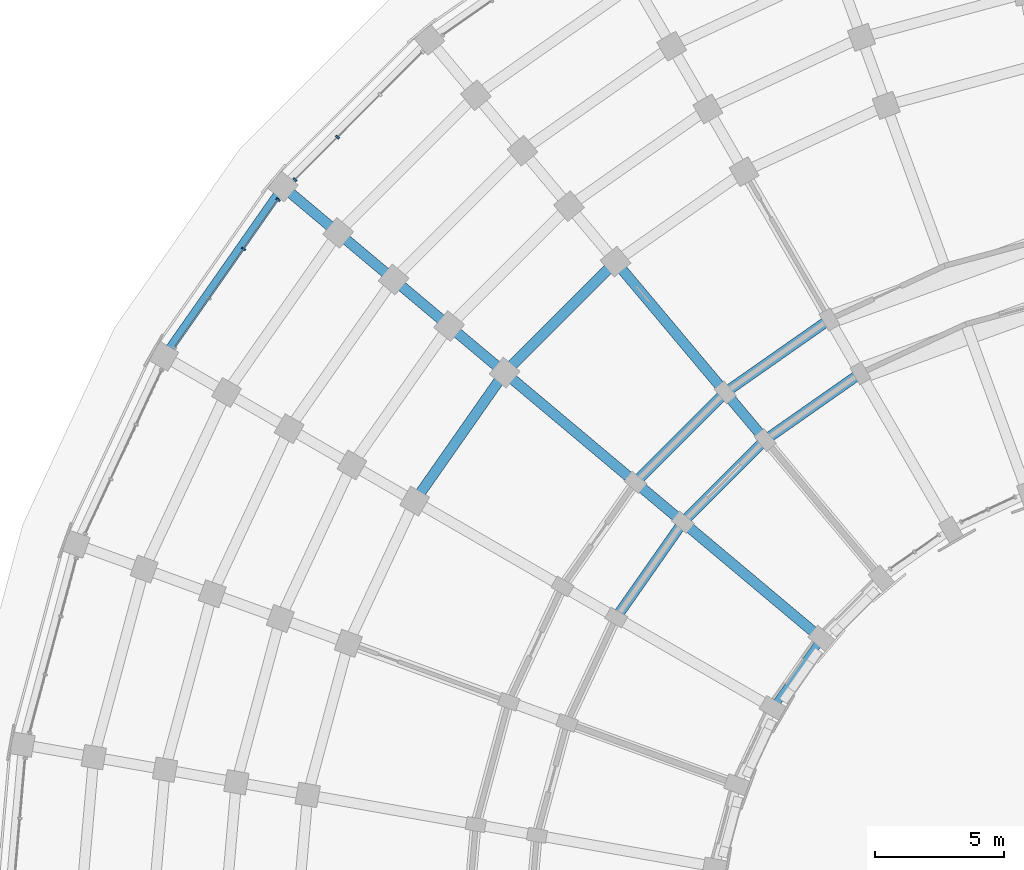
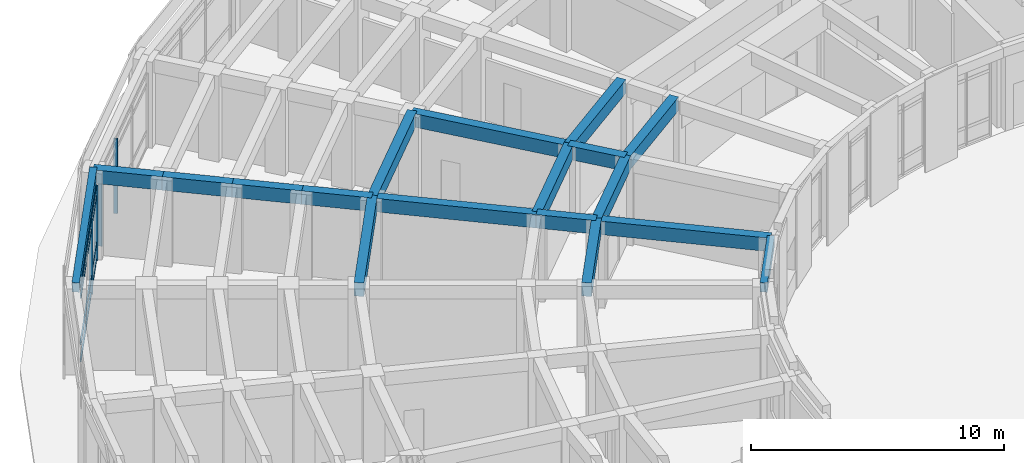
# One storey, part 38 of 135: 18 beams, 8 members, 2 elements without a shape of their own.
"""IFC4 building model written with IfcOpenShell, lengths in metres."""

import ifcopenshell
import ifcopenshell.guid

model = None  # the IFC model being written
_history = None  # IfcOwnerHistory: only IFC2X3 demands one
_inside = {}  # id of a spatial element -> (the spatial element, [elements in it])
_under = {}  # id of a project, library or spatial element -> (it, [spatial elements below it])
_declared = {}  # id of a project -> (the project, [libraries it declares])
_typed = {}  # id of a type object -> (the type object, [elements of that type])
_made_of = {}  # id of a material, layer set ... -> (it, [elements and type objects made of it])


def new_model(schema):
    """Start an empty IFC model of exactly this schema.

    Asked for "IFC4X3", IfcOpenShell would pick the latest addendum, in which some entities
    have other attributes; the version numbers below select the first issue.
    IFC2X3 requires an IfcOwnerHistory on every rooted entity: one is made here for all.
    """
    global model, _history
    if schema == "IFC4X3":
        model = ifcopenshell.file(schema_version=(4, 3, 0, 0))
    else:
        model = ifcopenshell.file(schema=schema)
    _inside.clear()
    _under.clear()
    _declared.clear()
    _typed.clear()
    _made_of.clear()
    _history = None
    if model.schema == "IFC2X3":
        org = make("IfcOrganization", Name="unknown")
        user = make(
            "IfcPersonAndOrganization",
            ThePerson=make("IfcPerson", FamilyName="unknown"),
            TheOrganization=org,
        )
        app = make(
            "IfcApplication",
            ApplicationDeveloper=org,
            Version="unknown",
            ApplicationFullName="unknown",
            ApplicationIdentifier="unknown",
        )
        _history = make(
            "IfcOwnerHistory",
            OwningUser=user,
            OwningApplication=app,
            ChangeAction="ADDED",
            CreationDate=0,
        )
    return model


def make(cls, **values):
    """One entity of the class cls with the attributes given. An attribute that is None is left unset."""
    return model.create_entity(
        cls, **{name: value for name, value in values.items() if value is not None}
    )


def rooted(cls, **values):
    """An entity with a GlobalId (a new one), such as an element, a storey or a relation."""
    return make(cls, GlobalId=ifcopenshell.guid.new(), OwnerHistory=_history, **values)


def si_unit(unit_type, name, prefix=None):
    """IfcSIUnit, for example si_unit("LENGTHUNIT", "METRE", prefix="MILLI")."""
    return make("IfcSIUnit", UnitType=unit_type, Prefix=prefix, Name=name)


def assignment(units):
    """IfcUnitAssignment: the units of a project."""
    return None if units is None else make("IfcUnitAssignment", Units=units)


def point(xyz):
    """IfcCartesianPoint."""
    return None if xyz is None else make("IfcCartesianPoint", Coordinates=xyz)


def direction(xyz):
    """IfcDirection."""
    return None if xyz is None else make("IfcDirection", DirectionRatios=xyz)


def frame(location, z_axis=None, x_axis=None):
    """IfcAxis2Placement3D, a coordinate frame: its origin and axes. An axis left out is left unset."""
    return make(
        "IfcAxis2Placement3D",
        Location=point(location),
        Axis=direction(z_axis),
        RefDirection=direction(x_axis),
    )


def frame_2d(location, x_axis=None):
    """IfcAxis2Placement2D, a coordinate frame in the plane: its origin and x axis."""
    return make(
        "IfcAxis2Placement2D", Location=point(location), RefDirection=direction(x_axis)
    )


def origin():
    """The frame at (0, 0, 0) with its axes left unset."""
    return frame((0.0, 0.0, 0.0))


def origin_2d():
    """The frame at (0, 0) in the plane with its x axis left unset."""
    return frame_2d((0.0, 0.0))


def place(relative_to, where):
    """IfcLocalPlacement: puts the frame where relative to a parent placement (None: the world)."""
    return make(
        "IfcLocalPlacement", PlacementRelTo=relative_to, RelativePlacement=where
    )


def context(
    kind, dimensions, precision=None, world=None, true_north=None, identifier=None
):
    """IfcGeometricRepresentationContext, for example the 3D "Model" context."""
    return make(
        "IfcGeometricRepresentationContext",
        ContextIdentifier=identifier,
        ContextType=kind,
        CoordinateSpaceDimension=dimensions,
        Precision=precision,
        WorldCoordinateSystem=world,
        TrueNorth=true_north,
    )


def subcontext(parent, identifier, kind, view, scale=None):
    """IfcGeometricRepresentationSubContext, for example "Body" below "Model"."""
    return make(
        "IfcGeometricRepresentationSubContext",
        ContextIdentifier=identifier,
        ContextType=kind,
        ParentContext=parent,
        TargetScale=scale,
        TargetView=view,
    )


def project(units=None, contexts=None):
    """IfcProject with its units and contexts."""
    return rooted(
        "IfcProject",
        Name="project",
        RepresentationContexts=contexts,
        UnitsInContext=assignment(units),
    )


def spatial(cls, under=None, at=None, **own):
    """A site, building, storey or space (cls), placed at a placement, below another one or the project."""
    s = rooted(cls, ObjectPlacement=at, **own)
    if under is not None:
        _under.setdefault(under.id(), (under, []))[1].append(s)
    return s


def profile(cls, at=None, kind="AREA", **sizes):
    """A parametric profile (cls). Its sizes go by their IFC names, for example OverallWidth=200.0."""
    return make(cls, ProfileType=kind, Position=at, **sizes)


def rectangle(**sizes):
    """IfcRectangleProfileDef."""
    return profile("IfcRectangleProfileDef", **sizes)


def extrude(swept, where, along, depth):
    """IfcExtrudedAreaSolid: the profile swept, set in the frame where, extruded along a direction by depth."""
    return make(
        "IfcExtrudedAreaSolid",
        SweptArea=swept,
        Position=where,
        ExtrudedDirection=direction(along),
        Depth=depth,
    )


def shape(context_of_items, identifier, shape_type, items):
    """IfcShapeRepresentation: the items that make up one representation, for example the "Body"."""
    return make(
        "IfcShapeRepresentation",
        ContextOfItems=context_of_items,
        RepresentationIdentifier=identifier,
        RepresentationType=shape_type,
        Items=items,
    )


def material(Name=None, Category=None):
    """IfcMaterial."""
    return make("IfcMaterial", Name=Name, Category=Category)


def material_profile(
    of_material, cross_section, Name=None, Category=None, Priority=None
):
    """IfcMaterialProfile: a cross section and its material."""
    return make(
        "IfcMaterialProfile",
        Name=Name,
        Material=of_material,
        Profile=cross_section,
        Priority=Priority,
        Category=Category,
    )


def profile_set(profiles, Name=None, composite=None):
    """IfcMaterialProfileSet."""
    return make(
        "IfcMaterialProfileSet",
        Name=Name,
        MaterialProfiles=profiles,
        CompositeProfile=composite,
    )


def made_of(thing, what):
    """Note that an element or type object is made of a material, layer set ...; save() writes the relation."""
    if what is not None:
        _made_of.setdefault(what.id(), (what, []))[1].append(thing)
    return thing


def type_object(cls, material=None, **own):
    """A type object (cls), such as IfcWallType, which elements share."""
    return made_of(rooted(cls, **own), material)


def element(
    cls,
    number,
    at=None,
    inside=None,
    cuts=None,
    type_object=None,
    material=None,
    context=None,
    identifier="Body",
    shape_type=None,
    held_by="IfcProductDefinitionShape",
    body=None,
    shapes=None,
    **own,
):
    """One element of the class cls, such as IfcWall. Its Tag is "e" and its number.

    at: its placement. inside: the storey or other place that contains it. cuts: it is an
    opening in that element (IfcRelVoidsElement). A single representation is given by context,
    identifier, shape_type and body (its items); several are given by shapes. held_by: the class
    of the entity that holds the representations. save() writes the other relations.
    """
    e = rooted(cls, Tag="e%d" % number, ObjectPlacement=at, **own)
    if body is not None:
        shapes = [shape(context, identifier, shape_type, body)]
    if shapes is not None:
        e.Representation = make(held_by, Representations=shapes)
    if inside is not None:
        _inside.setdefault(inside.id(), (inside, []))[1].append(e)
    if cuts is not None:
        rooted(
            "IfcRelVoidsElement", RelatingBuildingElement=cuts, RelatedOpeningElement=e
        )
    if type_object is not None:
        _typed.setdefault(type_object.id(), (type_object, []))[1].append(e)
    return made_of(e, material)


def aggregate(whole, parts):
    """IfcRelAggregates: a whole, such as a stair, and the parts it consists of."""
    return rooted("IfcRelAggregates", RelatingObject=whole, RelatedObjects=parts)


def save(model, path):
    """Write the relations noted so far, then the file.

    IfcRelAggregates (storeys below a building ...), IfcRelContainedInSpatialStructure (elements
    in a storey), IfcRelDefinesByType, IfcRelAssociatesMaterial and IfcRelDeclares: one each for
    every whole, place, type object, material and project.
    """
    for whole, parts in _under.values():
        aggregate(whole, parts)
    for where, things in _inside.values():
        rooted(
            "IfcRelContainedInSpatialStructure",
            RelatedElements=things,
            RelatingStructure=where,
        )
    for kind, things in _typed.values():
        rooted("IfcRelDefinesByType", RelatedObjects=things, RelatingType=kind)
    for what, things in _made_of.values():
        rooted("IfcRelAssociatesMaterial", RelatedObjects=things, RelatingMaterial=what)
    for by, libraries in _declared.values():
        rooted("IfcRelDeclares", RelatingContext=by, RelatedDefinitions=libraries)
    model.write(path)


model = new_model("IFC4")

# Units and contexts
model_context = context("Model", 3, precision=1e-05, world=origin(), true_north=direction((0.0, 1.0)))
body_context = subcontext(model_context, "Body", "Model", "MODEL_VIEW")
ifc_project = project(units=[si_unit("LENGTHUNIT", "METRE"), si_unit("AREAUNIT", "SQUARE_METRE"), si_unit("VOLUMEUNIT", "CUBIC_METRE"), si_unit("PLANEANGLEUNIT", "RADIAN"), si_unit("MASSUNIT", "GRAM", prefix="KILO")], contexts=[model_context])

# Site, building, storey
site_placement = place(None, origin())
site = spatial("IfcSite", under=ifc_project, at=site_placement, CompositionType="ELEMENT")
building_placement = place(site_placement, origin())
building = spatial("IfcBuilding", under=site, at=building_placement, Name="Kiranvali Square Residences", CompositionType="ELEMENT")
storey_placement = place(building_placement, origin())
storey = spatial("IfcBuildingStorey", under=building, at=storey_placement, Name="L00", CompositionType="ELEMENT", Elevation=0.0)

# Beams
ifc_material_1 = material(Name="Concrete M45 (45 MPa)", Category="concrete")
ifc_material_profile_1 = material_profile(ifc_material_1, rectangle(XDim=0.39990234375, YDim=0.64990234375, at=origin_2d()), Name="RC 400x650")
ifc_profile_set_1 = profile_set([ifc_material_profile_1], Name="Concrete M45 (45 MPa)")
beam_type_1 = type_object("IfcBeamType", Name="BM-M45-400x650", PredefinedType="BEAM", material=ifc_profile_set_1)
beam_1_placement = place(storey_placement, frame((35.300048828125, 110.1435546875, 3.824951171875), z_axis=(-0.819155404658, -0.573571637217, 0.0), x_axis=(0.573571637217, -0.819155404658, 0.0)))
element("IfcBeam", 1, at=beam_1_placement, inside=storey, type_object=beam_type_1, Name="L00 beam BM-A-L00-C03-R1", PredefinedType="BEAM", context=body_context, shape_type="SweptSolid", body=[
    extrude(rectangle(XDim=0.39990234375, YDim=0.64990234375, at=origin_2d()), origin(), (0.0, 0.0, 1.0), 4.497314453125),
])
beam_2_placement = place(storey_placement, frame((34.10009765625, 112.221923828125, 3.824951171875), z_axis=(-0.819140911474, -0.573592335331, 0.0), x_axis=(0.573592335331, -0.819140911474, 0.0)))
element("IfcBeam", 2, at=beam_2_placement, inside=storey, type_object=beam_type_1, Name="L00 beam BM-A-L00-C03-R2", PredefinedType="BEAM", context=body_context, shape_type="SweptSolid", body=[
    extrude(rectangle(XDim=0.39990234375, YDim=0.64990234375, at=origin_2d()), origin(), (0.0, 0.0, 1.0), 4.915771484375),
])
beam_3_placement = place(storey_placement, frame((31.615966796875, 107.56396484375, 3.824951171875), z_axis=(-0.707106781187, -0.707106781187, 0.0), x_axis=(0.707106781187, -0.707106781187, 0.0)))
element("IfcBeam", 3, at=beam_3_placement, inside=storey, type_object=beam_type_1, Name="L00 beam BM-A-L00-C04-R1", PredefinedType="BEAM", context=body_context, shape_type="SweptSolid", body=[
    extrude(rectangle(XDim=0.39990234375, YDim=0.64990234375, at=origin_2d()), origin(), (0.0, 0.0, 1.0), 4.4970703125),
])
beam_4_placement = place(storey_placement, frame((30.073486328125, 109.40234375, 3.824951171875), z_axis=(-0.707106781187, -0.707106781187, 0.0), x_axis=(0.707106781187, -0.707106781187, 0.0)))
element("IfcBeam", 4, at=beam_4_placement, inside=storey, type_object=beam_type_1, Name="L00 beam BM-A-L00-C04-R2", PredefinedType="BEAM", context=body_context, shape_type="SweptSolid", body=[
    extrude(rectangle(XDim=0.39990234375, YDim=0.64990234375, at=origin_2d()), origin(), (0.0, 0.0, 1.0), 4.91552734375),
])
beam_5_placement = place(storey_placement, frame((25.8310546875, 114.458251953125, 3.824951171875), z_axis=(-0.707106781187, -0.707106781187, 0.0), x_axis=(0.707106781187, -0.707106781187, 0.0)))
element("IfcBeam", 5, at=beam_5_placement, inside=storey, type_object=beam_type_1, Name="L00 beam BM-A-L00-C04-R3", PredefinedType="BEAM", context=body_context, shape_type="SweptSolid", body=[
    extrude(rectangle(XDim=0.39990234375, YDim=0.64990234375, at=origin_2d()), origin(), (0.0, 0.0, 1.0), 6.06591796875),
])
beam_6_placement = place(storey_placement, frame((28.43603515625, 104.384033203125, 3.824951171875), z_axis=(-0.573571637217, -0.819155404658, 0.0), x_axis=(0.819155404658, -0.573571637217, 0.0)))
element("IfcBeam", 6, at=beam_6_placement, inside=storey, type_object=beam_type_1, Name="L00 beam BM-A-L00-C05-R1", PredefinedType="BEAM", context=body_context, shape_type="SweptSolid", body=[
    extrude(rectangle(XDim=0.39990234375, YDim=0.64990234375, at=origin_2d()), origin(), (0.0, 0.0, 1.0), 4.497314453125),
])
beam_7_placement = place(storey_placement, frame((21.541748046875, 110.1689453125, 3.824951171875), z_axis=(-0.573594691504, -0.81913926159, 0.0), x_axis=(0.81913926159, -0.573594691504, 0.0)))
element("IfcBeam", 7, at=beam_7_placement, inside=storey, type_object=beam_type_1, Name="L00 beam BM-A-L00-C05-R3", PredefinedType="BEAM", context=body_context, shape_type="SweptSolid", body=[
    extrude(rectangle(XDim=0.39990234375, YDim=0.64990234375, at=origin_2d()), origin(), (0.0, 0.0, 1.0), 6.066162109375),
])
beam_8_placement = place(storey_placement, frame((31.615966796875, 107.56396484375, 3.824951171875), z_axis=(-0.642762521781, 0.766065493671, 0.0), x_axis=(-0.766065493671, -0.642762521781, 0.0)))
element("IfcBeam", 8, at=beam_8_placement, inside=storey, type_object=beam_type_1, Name="L00 beam BM-A-L00-RAD04-12", PredefinedType="BEAM", context=body_context, shape_type="SweptSolid", body=[
    extrude(rectangle(XDim=0.39990234375, YDim=0.64990234375, at=origin_2d()), origin(), (0.0, 0.0, 1.0), 2.399658203125),
])
beam_9_placement = place(storey_placement, frame((30.073486328125, 109.40234375, 3.824951171875), z_axis=(-0.642789470807, 0.766042881449, 0.0), x_axis=(-0.766042881449, -0.642789470807, 0.0)))
element("IfcBeam", 9, at=beam_9_placement, inside=storey, type_object=beam_type_1, Name="L00 beam BM-A-L00-RAD04-23", PredefinedType="BEAM", context=body_context, shape_type="SweptSolid", body=[
    extrude(rectangle(XDim=0.39990234375, YDim=0.64990234375, at=origin_2d()), origin(), (0.0, 0.0, 1.0), 6.60009765625),
])
beam_10_placement = place(storey_placement, frame((33.79833984375, 99.884521484375, 3.824951171875), z_axis=(-0.766044173478, 0.642787931032, 0.0), x_axis=(-0.642787931032, -0.766044173478, 0.0)))
element("IfcBeam", 10, at=beam_10_placement, inside=storey, type_object=beam_type_1, Name="L00 beam BM-A-L00-RAD05-01", PredefinedType="BEAM", context=body_context, shape_type="SweptSolid", body=[
    extrude(rectangle(XDim=0.39990234375, YDim=0.64990234375, at=origin_2d()), origin(), (0.0, 0.0, 1.0), 7.0),
])
beam_11_placement = place(storey_placement, frame((28.43603515625, 104.384033203125, 3.824951171875), z_axis=(-0.766065493671, 0.642762521781, 0.0), x_axis=(-0.642762521781, -0.766065493671, 0.0)))
element("IfcBeam", 11, at=beam_11_placement, inside=storey, type_object=beam_type_1, Name="L00 beam BM-A-L00-RAD05-12", PredefinedType="BEAM", context=body_context, shape_type="SweptSolid", body=[
    extrude(rectangle(XDim=0.39990234375, YDim=0.64990234375, at=origin_2d()), origin(), (0.0, 0.0, 1.0), 2.399658203125),
])
beam_12_placement = place(storey_placement, frame((26.59765625, 105.926513671875, 3.824951171875), z_axis=(-0.766042881449, 0.642789470807, 0.0), x_axis=(-0.642789470807, -0.766042881449, 0.0)))
element("IfcBeam", 12, at=beam_12_placement, inside=storey, type_object=beam_type_1, Name="L00 beam BM-A-L00-RAD05-23", PredefinedType="BEAM", context=body_context, shape_type="SweptSolid", body=[
    extrude(rectangle(XDim=0.39990234375, YDim=0.64990234375, at=origin_2d()), origin(), (0.0, 0.0, 1.0), 6.60009765625),
])
for number, where, z_axis, x_axis, name in (
    (13, (21.541748046875, 110.1689453125, 3.824951171875), (-0.766058583359, 0.642770757628, 0.0), (-0.642770757628, -0.766058583359, 0.0), "L00 beam BM-A-L00-RAD05-34"),
    (14, (19.396728515625, 111.96875, 3.824951171875), (-0.766058583359, 0.642770757628, 0.0), (-0.642770757628, -0.766058583359, 0.0), "L00 beam BM-A-L00-RAD05-45"),
):
    element("IfcBeam", number, at=place(storey_placement, frame(where, z_axis=z_axis, x_axis=x_axis)), inside=storey, type_object=beam_type_1, Name=name, PredefinedType="BEAM", context=body_context, shape_type="SweptSolid", body=[
        extrude(rectangle(XDim=0.39990234375, YDim=0.64990234375, at=origin_2d()), origin(), (0.0, 0.0, 1.0), 2.800048828125),
    ])
beam_13_placement = place(storey_placement, frame((17.251708984375, 113.7685546875, 3.824951171875), z_axis=(-0.76602255649, 0.642813692253, 0.0), x_axis=(-0.642813692253, -0.76602255649, 0.0)))
element("IfcBeam", 15, at=beam_13_placement, inside=storey, type_object=beam_type_1, Name="L00 beam BM-A-L00-RAD05-56", PredefinedType="BEAM", context=body_context, shape_type="SweptSolid", body=[
    extrude(rectangle(XDim=0.39990234375, YDim=0.64990234375, at=origin_2d()), origin(), (0.0, 0.0, 1.0), 2.7998046875),
])
beam_14_placement = place(storey_placement, frame((15.10693359375, 115.568359375, 3.824951171875), z_axis=(-0.766058583359, 0.642770757628, 0.0), x_axis=(-0.642770757628, -0.766058583359, 0.0)))
element("IfcBeam", 16, at=beam_14_placement, inside=storey, type_object=beam_type_1, Name="L00 beam BM-A-L00-RAD05-67", PredefinedType="BEAM", context=body_context, shape_type="SweptSolid", body=[
    extrude(rectangle(XDim=0.39990234375, YDim=0.64990234375, at=origin_2d()), origin(), (0.0, 0.0, 1.0), 2.800048828125),
])

# Curtain wall, members
ifc_material_2 = material(Name="Anodised bronze aluminium framing", Category="aluminium")
curtain_wall_type = type_object("IfcCurtainWallType", Name="CW-RET-SHOP", PredefinedType="USERDEFINED", material=ifc_material_2)
curtain_wall_1_placement = place(storey_placement, origin())
curtain_wall_1 = element("IfcCurtainWall", 17, at=curtain_wall_1_placement, inside=storey, type_object=curtain_wall_type, Name="Block A L00 rounded-corner arcade curtain wall 5", ObjectType="CURTAIN WALL", PredefinedType="USERDEFINED")
ifc_material_profile_2 = material_profile(ifc_material_2, rectangle(XDim=0.06494140625, YDim=0.159912109375, at=origin_2d()), Name="ALU 65x160")
ifc_profile_set_2 = profile_set([ifc_material_profile_2], Name="Anodised bronze aluminium framing")
member_type_1 = type_object("IfcMemberType", Name="CW-MUL-160", PredefinedType="MULLION", material=ifc_profile_set_2)
member_1_placement = place(storey_placement, frame((15.08056640625, 119.274658203125, 0.02001953125), z_axis=(0.0, 0.0, 1.0), x_axis=(-0.707106781187, -0.707106781187, 0.0)))
member_1 = element("IfcMember", 18, at=member_1_placement, type_object=member_type_1, Name="CW-A-L00-CRV-04 vertical mullion 3", PredefinedType="MULLION", context=body_context, shape_type="SweptSolid", body=[
    extrude(rectangle(XDim=0.06494140625, YDim=0.159912109375, at=origin_2d()), origin(), (0.0, 0.0, 1.0), 3.60986328125),
])
member_2_placement = place(storey_placement, frame((13.435791015625, 117.6298828125, 0.02001953125), z_axis=(0.0, 0.0, 1.0), x_axis=(-0.707106781187, -0.707106781187, 0.0)))
member_2 = element("IfcMember", 19, at=member_2_placement, type_object=member_type_1, Name="CW-A-L00-CRV-04 vertical mullion 4", PredefinedType="MULLION", context=body_context, shape_type="SweptSolid", body=[
    extrude(rectangle(XDim=0.06494140625, YDim=0.159912109375, at=origin_2d()), origin(), (0.0, 0.0, 1.0), 3.60986328125),
])
aggregate(curtain_wall_1, [member_1, member_2])

curtain_wall_2_placement = place(storey_placement, origin())
curtain_wall_2 = element("IfcCurtainWall", 20, at=curtain_wall_2_placement, inside=storey, type_object=curtain_wall_type, Name="Block A L00 rounded-corner arcade curtain wall 6", ObjectType="CURTAIN WALL", PredefinedType="USERDEFINED")
member_3_placement = place(storey_placement, frame((12.78662109375, 116.856201171875, 0.02001953125), z_axis=(0.0, 0.0, 1.0), x_axis=(-0.573576436351, -0.819152044289, 0.0)))
member_3 = element("IfcMember", 21, at=member_3_placement, type_object=member_type_1, Name="CW-A-L00-CRV-05 vertical mullion 1", PredefinedType="MULLION", context=body_context, shape_type="SweptSolid", body=[
    extrude(rectangle(XDim=0.06494140625, YDim=0.159912109375, at=origin_2d()), origin(), (0.0, 0.0, 1.0), 3.60986328125),
])
member_4_placement = place(storey_placement, frame((11.452392578125, 114.95068359375, 0.02001953125), z_axis=(0.0, 0.0, 1.0), x_axis=(-0.573576436351, -0.819152044289, 0.0)))
member_4 = element("IfcMember", 22, at=member_4_placement, type_object=member_type_1, Name="CW-A-L00-CRV-05 vertical mullion 2", PredefinedType="MULLION", context=body_context, shape_type="SweptSolid", body=[
    extrude(rectangle(XDim=0.06494140625, YDim=0.159912109375, at=origin_2d()), origin(), (0.0, 0.0, 1.0), 3.60986328125),
])
ifc_material_profile_3 = material_profile(ifc_material_2, rectangle(XDim=0.06494140625, YDim=0.139892578125, at=origin_2d()), Name="ALU 65x140")
ifc_profile_set_3 = profile_set([ifc_material_profile_3], Name="Anodised bronze aluminium framing")
member_type_2 = type_object("IfcMemberType", Name="CW-TRN-140", PredefinedType="MULLION", material=ifc_profile_set_3)
member_5_placement = place(storey_placement, frame((12.78076171875, 116.84814453125, 0.0400390625), z_axis=(-0.573558887104, -0.819164332124, 0.0), x_axis=(0.819164332124, -0.573558887104, 0.0)))
member_5 = element("IfcMember", 23, at=member_5_placement, type_object=member_type_2, Name="CW-A-L00-CRV-05 horizontal transom 1", PredefinedType="MULLION", context=body_context, shape_type="SweptSolid", body=[
    extrude(rectangle(XDim=0.06494140625, YDim=0.139892578125, at=origin_2d()), origin(), (0.0, 0.0, 1.0), 6.958251953125),
])
member_6_placement = place(storey_placement, frame((12.78076171875, 116.84814453125, 0.85009765625), z_axis=(-0.573558887104, -0.819164332124, 0.0), x_axis=(0.819164332124, -0.573558887104, 0.0)))
member_6 = element("IfcMember", 24, at=member_6_placement, type_object=member_type_2, Name="CW-A-L00-CRV-05 horizontal transom 2", PredefinedType="MULLION", context=body_context, shape_type="SweptSolid", body=[
    extrude(rectangle(XDim=0.06494140625, YDim=0.139892578125, at=origin_2d()), origin(), (0.0, 0.0, 1.0), 6.958251953125),
])
member_7_placement = place(storey_placement, frame((12.78076171875, 116.84814453125, 3.10009765625), z_axis=(-0.573558887104, -0.819164332124, 0.0), x_axis=(0.819164332124, -0.573558887104, 0.0)))
member_7 = element("IfcMember", 25, at=member_7_placement, type_object=member_type_2, Name="CW-A-L00-CRV-05 horizontal transom 3", PredefinedType="MULLION", context=body_context, shape_type="SweptSolid", body=[
    extrude(rectangle(XDim=0.06494140625, YDim=0.139892578125, at=origin_2d()), origin(), (0.0, 0.0, 1.0), 6.958251953125),
])
member_8_placement = place(storey_placement, frame((12.78076171875, 116.84814453125, 3.610107421875), z_axis=(-0.573558887104, -0.819164332124, 0.0), x_axis=(0.819164332124, -0.573558887104, 0.0)))
member_8 = element("IfcMember", 26, at=member_8_placement, type_object=member_type_2, Name="CW-A-L00-CRV-05 horizontal transom 4", PredefinedType="MULLION", context=body_context, shape_type="SweptSolid", body=[
    extrude(rectangle(XDim=0.06494140625, YDim=0.139892578125, at=origin_2d()), origin(), (0.0, 0.0, 1.0), 6.958251953125),
])
aggregate(curtain_wall_2, [member_3, member_4, member_5, member_6, member_7, member_8])

# Beams
ifc_material_3 = material(Name="Concrete M40 (40 MPa)", Category="concrete")
ifc_material_profile_4 = material_profile(ifc_material_3, rectangle(XDim=0.300048828125, YDim=0.449951171875, at=origin_2d()), Name="RC 300x450")
ifc_profile_set_4 = profile_set([ifc_material_profile_4], Name="Concrete M40 (40 MPa)")
beam_type_2 = type_object("IfcBeamType", Name="SPN-M40-300x450", PredefinedType="SPANDREL", material=ifc_profile_set_4)
beam_15_placement = place(storey_placement, frame((33.79833984375, 99.884521484375, 3.925048828125), z_axis=(-0.573552337269, -0.81916891812, 0.0), x_axis=(0.81916891812, -0.573552337269, 0.0)))
element("IfcBeam", 27, at=beam_15_placement, inside=storey, type_object=beam_type_2, Name="L00 beam BM-A-L00-C05-R0", PredefinedType="SPANDREL", context=body_context, shape_type="SweptSolid", body=[
    extrude(rectangle(XDim=0.300048828125, YDim=0.449951171875, at=origin_2d()), origin(), (0.0, 0.0, 1.0), 3.277099609375),
])
beam_16_placement = place(storey_placement, frame((12.9619140625, 117.3681640625, 3.925048828125), z_axis=(-0.573582904791, -0.819147515001, 0.0), x_axis=(0.819147515001, -0.573582904791, 0.0)))
element("IfcBeam", 28, at=beam_16_placement, inside=storey, type_object=beam_type_2, Name="L00 beam BM-A-L00-C05-R7", PredefinedType="SPANDREL", context=body_context, shape_type="SweptSolid", body=[
    extrude(rectangle(XDim=0.300048828125, YDim=0.449951171875, at=origin_2d()), origin(), (0.0, 0.0, 1.0), 8.018310546875),
])

save(model, "model.ifc")
